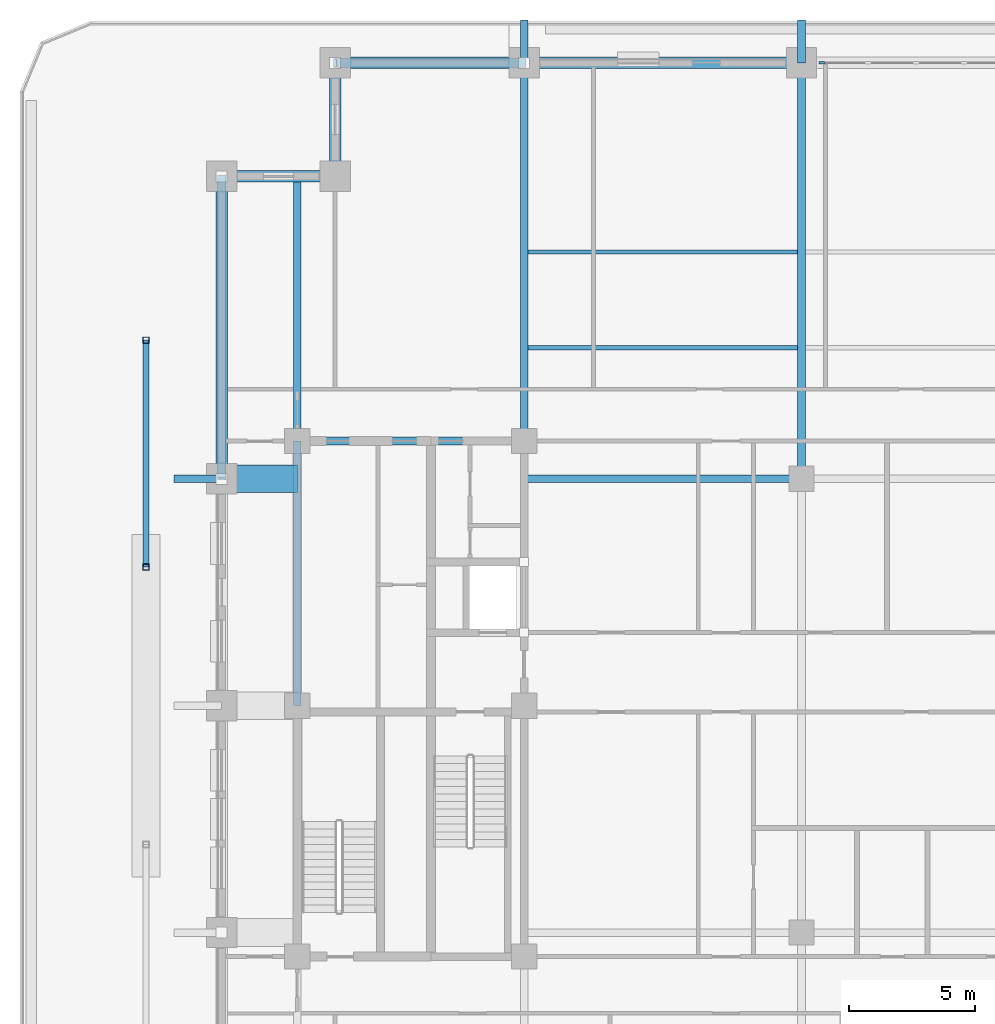
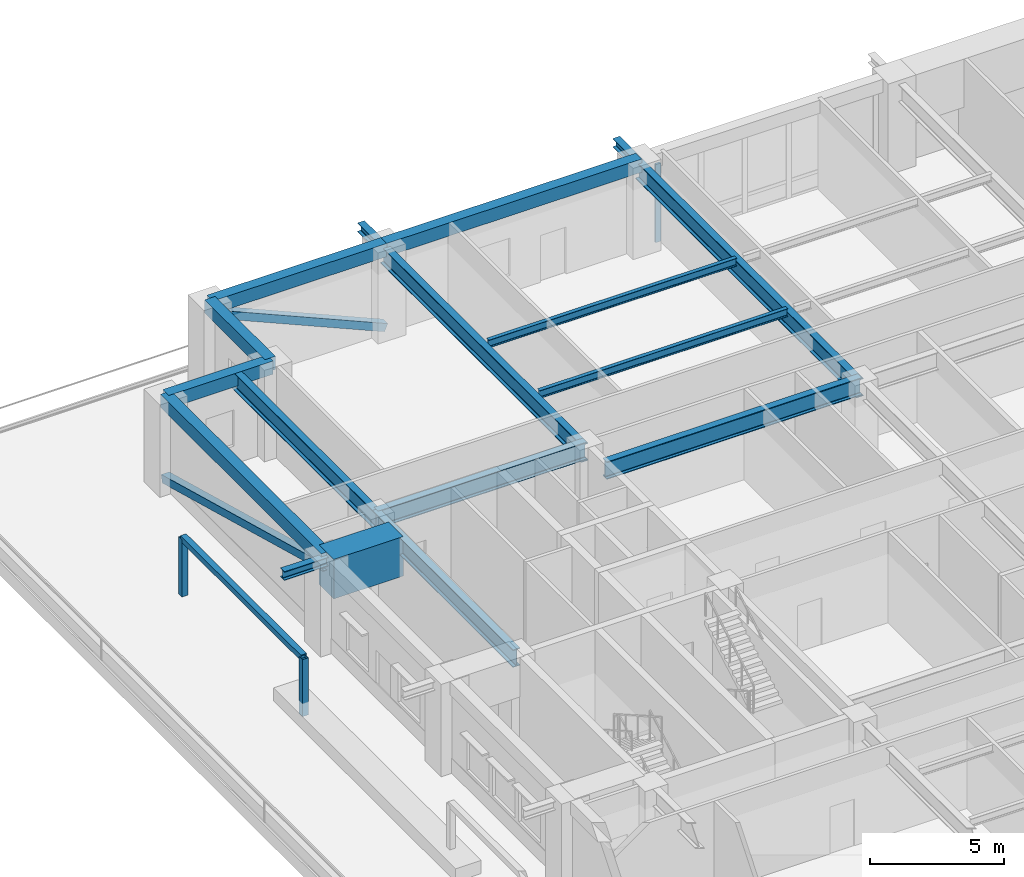
# One storey, part 5 of 21: 17 beams, 6 members, 1 element without a shape of its own.
"""IFC4 building model written with IfcOpenShell, lengths in metres."""

from ifc_helpers import new_model, si_unit, direction, frame, origin, origin_2d, place, context, subcontext, project, spatial, rectangle, hollow_rectangle, i_section, extrude, material, material_profile, profile_set, type_object, element, aggregate, save


model = new_model("IFC4")

# Units and contexts
model_context = context("Model", 3, precision=1e-05, world=origin(), true_north=direction((0.0, 1.0)))
body_context = subcontext(model_context, "Body", "Model", "MODEL_VIEW")
ifc_project = project(units=[si_unit("LENGTHUNIT", "METRE"), si_unit("AREAUNIT", "SQUARE_METRE"), si_unit("VOLUMEUNIT", "CUBIC_METRE"), si_unit("PLANEANGLEUNIT", "RADIAN"), si_unit("MASSUNIT", "GRAM", prefix="KILO")], contexts=[model_context])

# Site, building, storey
site_placement = place(None, origin())
site = spatial("IfcSite", under=ifc_project, at=site_placement, CompositionType="ELEMENT")
building_placement = place(site_placement, origin())
building = spatial("IfcBuilding", under=site, at=building_placement, Name="Zulmaris Gate Convention Tower", CompositionType="ELEMENT")
storey_placement = place(building_placement, frame((0.0, 0.0, 86.93994140625)))
storey = spatial("IfcBuildingStorey", under=building, at=storey_placement, Name="L21", CompositionType="ELEMENT", Elevation=86.93994140625)

# Beams
ifc_material_1 = material(Name="Steel S355", Category="steel")
ifc_material_profile_1 = material_profile(ifc_material_1, i_section(OverallWidth=0.300048828125, OverallDepth=0.39990234375, WebThickness=0.013427734375, FlangeThickness=0.02392578125, FilletRadius=0.027099609375, at=origin_2d()), Name="HEB 400")
ifc_profile_set_1 = profile_set([ifc_material_profile_1], Name="Steel S355")
beam_type_1 = type_object("IfcBeamType", Name="BM-HEB400", PredefinedType="BEAM", material=ifc_profile_set_1)
for number, where, z_axis, x_axis, name in (
    (1, (-11.0, 25.5, 3.79296875), (0.0, 1.0, 0.0), (-1.0, 0.0, 0.0), "L21 Beam TBRK-L21-N--11"),
    (2, (0.0, 25.5, 3.79296875), (0.0, 1.0, 0.0), (-1.0, 0.0, 0.0), "L21 Beam TBRK-L21-N-+0"),
):
    element("IfcBeam", number, at=place(storey_placement, frame(where, z_axis=z_axis, x_axis=x_axis)), inside=storey, type_object=beam_type_1, Name=name, PredefinedType="BEAM", context=body_context, shape_type="SweptSolid", body=[
        extrude(i_section(OverallWidth=0.300048828125, OverallDepth=0.39990234375, WebThickness=0.013427734375, FlangeThickness=0.02392578125, FilletRadius=0.027099609375, at=origin_2d()), origin(), (0.0, 0.0, 1.0), 1.699951171875),
    ])
beam_1_placement = place(storey_placement, frame((-24.89990234375, 9.0, 3.830078125), z_axis=(1.0, 0.0, 0.0), x_axis=(0.0, 1.0, 0.0)))
element("IfcBeam", 3, at=beam_1_placement, inside=storey, type_object=beam_type_1, Name="L21 Beam TBRK-L21-W-+9", PredefinedType="BEAM", context=body_context, shape_type="SweptSolid", body=[
    extrude(i_section(OverallWidth=0.300048828125, OverallDepth=0.39990234375, WebThickness=0.013427734375, FlangeThickness=0.02392578125, FilletRadius=0.027099609375, at=origin_2d()), origin(), (0.0, 0.0, 1.0), 1.89990234375),
])
ifc_material_profile_2 = material_profile(ifc_material_1, i_section(OverallWidth=0.300048828125, OverallDepth=0.800048828125, WebThickness=0.017578125, FlangeThickness=0.032958984375, FilletRadius=0.030029296875, at=origin_2d()), Name="HEB 800")
ifc_profile_set_2 = profile_set([ifc_material_profile_2], Name="Steel S355")
beam_type_2 = type_object("IfcBeamType", Name="BM-HEB800", PredefinedType="BEAM", material=ifc_profile_set_2)
beam_2_placement = place(storey_placement, frame((-11.0, 9.0, 3.76806640625), z_axis=(1.0, 0.0, 0.0), x_axis=(0.0, 1.0, 0.0)))
element("IfcBeam", 4, at=beam_2_placement, inside=storey, type_object=beam_type_2, Name="L21 Beam BM-L21-G03", PredefinedType="BEAM", context=body_context, shape_type="SweptSolid", body=[
    extrude(i_section(OverallWidth=0.300048828125, OverallDepth=0.800048828125, WebThickness=0.017578125, FlangeThickness=0.032958984375, FilletRadius=0.030029296875, at=origin_2d()), origin(), (0.0, 0.0, 1.0), 11.0),
])
beam_3_placement = place(storey_placement, frame((0.0, 9.0, 3.593017578125), z_axis=(0.0, 1.0, 0.0), x_axis=(-1.0, 0.0, 0.0)))
element("IfcBeam", 5, at=beam_3_placement, inside=storey, type_object=beam_type_2, Name="L21 Beam BM-L21-G07", PredefinedType="BEAM", context=body_context, shape_type="SweptSolid", body=[
    extrude(i_section(OverallWidth=0.300048828125, OverallDepth=0.800048828125, WebThickness=0.017578125, FlangeThickness=0.032958984375, FilletRadius=0.030029296875, at=origin_2d()), origin(), (0.0, 0.0, 1.0), 16.5),
])
beam_4_placement = place(storey_placement, frame((-11.0, 10.5, 3.593017578125), z_axis=(0.0, 1.0, 0.0), x_axis=(-1.0, 0.0, 0.0)))
element("IfcBeam", 6, at=beam_4_placement, inside=storey, type_object=beam_type_2, Name="L21 Beam BM-L21-G09", PredefinedType="BEAM", context=body_context, shape_type="SweptSolid", body=[
    extrude(i_section(OverallWidth=0.300048828125, OverallDepth=0.800048828125, WebThickness=0.017578125, FlangeThickness=0.032958984375, FilletRadius=0.030029296875, at=origin_2d()), origin(), (0.0, 0.0, 1.0), 15.0),
])
beam_5_placement = place(storey_placement, frame((-20.0, 10.5, 3.76806640625), z_axis=(0.0, 1.0, 0.0), x_axis=(-1.0, 0.0, 0.0)))
element("IfcBeam", 7, at=beam_5_placement, inside=storey, type_object=beam_type_2, Name="L21 Beam BM-L21-G13", PredefinedType="BEAM", context=body_context, shape_type="SweptSolid", body=[
    extrude(i_section(OverallWidth=0.300048828125, OverallDepth=0.800048828125, WebThickness=0.017578125, FlangeThickness=0.032958984375, FilletRadius=0.030029296875, at=origin_2d()), origin(), (0.0, 0.0, 1.0), 10.5),
])
beam_6_placement = place(storey_placement, frame((-20.0, 10.5, 3.76806640625), z_axis=(1.0, 0.0, 0.0), x_axis=(0.0, 1.0, 0.0)))
element("IfcBeam", 8, at=beam_6_placement, inside=storey, type_object=beam_type_2, Name="L21 Beam BM-L21-G23", PredefinedType="BEAM", context=body_context, shape_type="SweptSolid", body=[
    extrude(i_section(OverallWidth=0.300048828125, OverallDepth=0.800048828125, WebThickness=0.017578125, FlangeThickness=0.032958984375, FilletRadius=0.030029296875, at=origin_2d()), origin(), (0.0, 0.0, 1.0), 9.0),
])
beam_7_placement = place(storey_placement, frame((-20.0, 0.0, 3.76806640625), z_axis=(0.0, 1.0, 0.0), x_axis=(-1.0, 0.0, 0.0)))
element("IfcBeam", 9, at=beam_7_placement, inside=storey, type_object=beam_type_2, Name="L21 Beam BM-L21-G27", PredefinedType="BEAM", context=body_context, shape_type="SweptSolid", body=[
    extrude(i_section(OverallWidth=0.300048828125, OverallDepth=0.800048828125, WebThickness=0.017578125, FlangeThickness=0.032958984375, FilletRadius=0.030029296875, at=origin_2d()), origin(), (0.0, 0.0, 1.0), 10.5),
])
ifc_material_2 = material(Name="Precast concrete C50/60", Category="concrete")
ifc_material_profile_3 = material_profile(ifc_material_2, rectangle(XDim=0.449951171875, YDim=0.60009765625, at=origin_2d()), Name="RC SPANDREL 450x600")
ifc_profile_set_3 = profile_set([ifc_material_profile_3], Name="Precast concrete C50/60")
beam_type_3 = type_object("IfcBeamType", Name="BM-SP450x600", PredefinedType="SPANDREL", material=ifc_profile_set_3)
beam_8_placement = place(storey_placement, frame((0.0, 25.5, 3.869873046875), z_axis=(-1.0, 0.0, 0.0), x_axis=(0.0, -1.0, 0.0)))
element("IfcBeam", 10, at=beam_8_placement, inside=storey, type_object=beam_type_3, Name="L21 Spandrel SP-L21-15", PredefinedType="SPANDREL", context=body_context, shape_type="SweptSolid", body=[
    extrude(rectangle(XDim=0.449951171875, YDim=0.60009765625, at=origin_2d()), origin(), (0.0, 0.0, 1.0), 11.0),
])
beam_9_placement = place(storey_placement, frame((-11.0, 25.5, 3.869873046875), z_axis=(-1.0, 0.0, 0.0), x_axis=(0.0, -1.0, 0.0)))
element("IfcBeam", 11, at=beam_9_placement, inside=storey, type_object=beam_type_3, Name="L21 Spandrel SP-L21-16", PredefinedType="SPANDREL", context=body_context, shape_type="SweptSolid", body=[
    extrude(rectangle(XDim=0.449951171875, YDim=0.60009765625, at=origin_2d()), origin(), (0.0, 0.0, 1.0), 7.5),
])
for number, where, z_axis, x_axis, name in (
    (12, (-18.5, 25.5, 3.869873046875), (0.0, -1.0, 0.0), (1.0, 0.0, 0.0), "L21 Spandrel SP-L21-17"),
    (13, (-18.5, 21.0, 3.869873046875), (-1.0, 0.0, 0.0), (0.0, -1.0, 0.0), "L21 Spandrel SP-L21-18"),
):
    element("IfcBeam", number, at=place(storey_placement, frame(where, z_axis=z_axis, x_axis=x_axis)), inside=storey, type_object=beam_type_3, Name=name, PredefinedType="SPANDREL", context=body_context, shape_type="SweptSolid", body=[
        extrude(rectangle(XDim=0.449951171875, YDim=0.60009765625, at=origin_2d()), origin(), (0.0, 0.0, 1.0), 4.5),
    ])
beam_10_placement = place(storey_placement, frame((-23.0, 21.0, 3.869873046875), z_axis=(0.0, -1.0, 0.0), x_axis=(1.0, 0.0, 0.0)))
element("IfcBeam", 14, at=beam_10_placement, inside=storey, type_object=beam_type_3, Name="L21 Spandrel SP-L21-19", PredefinedType="SPANDREL", context=body_context, shape_type="SweptSolid", body=[
    extrude(rectangle(XDim=0.449951171875, YDim=0.60009765625, at=origin_2d()), origin(), (0.0, 0.0, 1.0), 12.0),
])
ifc_material_3 = material(Name="Concrete C80/95", Category="concrete")
ifc_material_profile_4 = material_profile(ifc_material_3, rectangle(XDim=1.10009765625, YDim=1.800048828125, at=origin_2d()), Name="RC TRANSFER 1100x1800")
ifc_profile_set_4 = profile_set([ifc_material_profile_4], Name="Concrete C80/95")
beam_type_4 = type_object("IfcBeamType", Name="BM-XFER1800", PredefinedType="BEAM", material=ifc_profile_set_4)
beam_11_placement = place(storey_placement, frame((-23.0, 9.0, 3.27001953125), z_axis=(1.0, 0.0, 0.0), x_axis=(0.0, 1.0, 0.0)))
element("IfcBeam", 15, at=beam_11_placement, inside=storey, type_object=beam_type_4, Name="L21 Beam BM-L21-G18", PredefinedType="BEAM", context=body_context, shape_type="SweptSolid", body=[
    extrude(rectangle(XDim=1.10009765625, YDim=1.800048828125, at=origin_2d()), origin(), (0.0, 0.0, 1.0), 3.0),
])

# Members
ifc_material_4 = material(Name="Steel S460", Category="steel")
ifc_material_profile_5 = material_profile(ifc_material_4, hollow_rectangle(XDim=0.35009765625, YDim=0.35009765625, WallThickness=0.01611328125, at=origin_2d()), Name="SHS 350x350x16")
ifc_profile_set_5 = profile_set([ifc_material_profile_5], Name="Steel S460")
member_type_1 = type_object("IfcMemberType", Name="BR-SHS350", PredefinedType="BRACE", material=ifc_profile_set_5)
member_1_placement = place(storey_placement, frame((-23.0, 21.0, 0.300048828125), z_axis=(0.0, -0.96522637192, 0.261415475728), x_axis=(1.0, 0.0, 0.0)))
element("IfcMember", 16, at=member_1_placement, inside=storey, type_object=member_type_1, Name="L21 Perimeter Tube Diagonal NW-W", PredefinedType="BRACE", context=body_context, shape_type="SweptSolid", body=[
    extrude(hollow_rectangle(XDim=0.35009765625, YDim=0.35009765625, WallThickness=0.01611328125, at=origin_2d()), origin(), (0.0, 0.0, 1.0), 12.432373046875),
])
member_2_placement = place(storey_placement, frame((-11.0, 25.5, 0.300048828125), z_axis=(-0.91755562531, 0.0, 0.397607437634), x_axis=(0.0, -1.0, 0.0)))
element("IfcMember", 17, at=member_2_placement, inside=storey, type_object=member_type_1, Name="L21 Perimeter Tube Diagonal NW-N", PredefinedType="BRACE", context=body_context, shape_type="SweptSolid", body=[
    extrude(hollow_rectangle(XDim=0.35009765625, YDim=0.35009765625, WallThickness=0.01611328125, at=origin_2d()), origin(), (0.0, 0.0, 1.0), 8.173828125),
])

# Curtain wall, member
ifc_material_5 = material(Name="Anodised Aluminium", Category="aluminium")
curtain_wall_type = type_object("IfcCurtainWallType", Name="CW-04", PredefinedType="NOTDEFINED", material=ifc_material_5)
curtain_wall_placement = place(storey_placement, origin())
curtain_wall = element("IfcCurtainWall", 18, at=curtain_wall_placement, inside=storey, type_object=curtain_wall_type, Name="CW-04 CW04-L21-N-2_0", PredefinedType="NOTDEFINED")
ifc_material_profile_6 = material_profile(ifc_material_5, rectangle(XDim=0.090087890625, YDim=0.219970703125, at=origin_2d()), Name="ALU MULLION 90x220")
ifc_profile_set_6 = profile_set([ifc_material_profile_6], Name="Anodised Aluminium")
member_type_2 = type_object("IfcMemberType", Name="CW-04-MULL", PredefinedType="MULLION", material=ifc_profile_set_6)
member_3_placement = place(storey_placement, frame((0.804931640625, 25.5, 0.0), z_axis=(0.0, 0.0, 1.0), x_axis=(0.0, -1.0, 0.0)))
member_3 = element("IfcMember", 19, at=member_3_placement, type_object=member_type_2, Name="CW-04 mullion 6", PredefinedType="MULLION", context=body_context, shape_type="SweptSolid", body=[
    extrude(rectangle(XDim=0.090087890625, YDim=0.219970703125, at=origin_2d()), origin(), (0.0, 0.0, 1.0), 3.56201171875),
])
aggregate(curtain_wall, [member_3])

# Beams
ifc_material_profile_7 = material_profile(ifc_material_1, i_section(OverallWidth=0.169921875, OverallDepth=0.360107421875, WebThickness=0.008056640625, FlangeThickness=0.0126953125, FilletRadius=0.01806640625, at=origin_2d()), Name="IPE 360")
ifc_profile_set_7 = profile_set([ifc_material_profile_7], Name="Steel S355")
beam_type_5 = type_object("IfcBeamType", Name="JT-IPE360", PredefinedType="JOIST", material=ifc_profile_set_7)
for number, where, z_axis, x_axis, name in (
    (20, (-10.85009765625, 14.199951171875, 3.988037109375), (1.0, 0.0, 0.0), (0.0, 1.0, 0.0), "L21 Joist JT-L21-CW-+14.2"),
    (21, (-10.85009765625, 18.0, 3.988037109375), (1.0, 0.0, 0.0), (0.0, 1.0, 0.0), "L21 Joist JT-L21-CW-+18.0"),
):
    element("IfcBeam", number, at=place(storey_placement, frame(where, z_axis=z_axis, x_axis=x_axis)), inside=storey, type_object=beam_type_5, Name=name, PredefinedType="JOIST", context=body_context, shape_type="SweptSolid", body=[
        extrude(i_section(OverallWidth=0.169921875, OverallDepth=0.360107421875, WebThickness=0.008056640625, FlangeThickness=0.0126953125, FilletRadius=0.01806640625, at=origin_2d()), origin(), (0.0, 0.0, 1.0), 10.7001953125),
    ])

# Members
ifc_material_profile_8 = material_profile(ifc_material_1, hollow_rectangle(XDim=0.25, YDim=0.25, WallThickness=0.012451171875, at=origin_2d()), Name="SHS 250x250x12.5")
ifc_profile_set_8 = profile_set([ifc_material_profile_8], Name="Steel S355")
member_type_3 = type_object("IfcMemberType", Name="ST-SHS250", PredefinedType="STRUT", material=ifc_profile_set_8)
for number, where, z_axis, x_axis, name in (
    (22, (-26.0, 5.5, -0.0400390625), (0.0, 0.0, 1.0), (1.0, 0.0, 0.0), "L21 Exposed Terrace Planted Pergola Post 2A"),
    (23, (-26.0, 14.5, -0.0400390625), (0.0, 0.0, 1.0), (1.0, 0.0, 0.0), "L21 Exposed Terrace Planted Pergola Post 2B"),
):
    element("IfcMember", number, at=place(storey_placement, frame(where, z_axis=z_axis, x_axis=x_axis)), inside=storey, type_object=member_type_3, Name=name, PredefinedType="STRUT", context=body_context, shape_type="SweptSolid", body=[
        extrude(hollow_rectangle(XDim=0.25, YDim=0.25, WallThickness=0.012451171875, at=origin_2d()), origin(), (0.0, 0.0, 1.0), 2.60009765625),
    ])
member_4_placement = place(storey_placement, frame((-26.0, 5.5, 2.56005859375), z_axis=(0.0, 1.0, 0.0), x_axis=(-1.0, 0.0, 0.0)))
element("IfcMember", 24, at=member_4_placement, inside=storey, type_object=member_type_3, Name="L21 Exposed Terrace Planted Pergola Beam 2", PredefinedType="STRUT", context=body_context, shape_type="SweptSolid", body=[
    extrude(hollow_rectangle(XDim=0.25, YDim=0.25, WallThickness=0.012451171875, at=origin_2d()), origin(), (0.0, 0.0, 1.0), 9.0),
])

save(model, "model.ifc")
